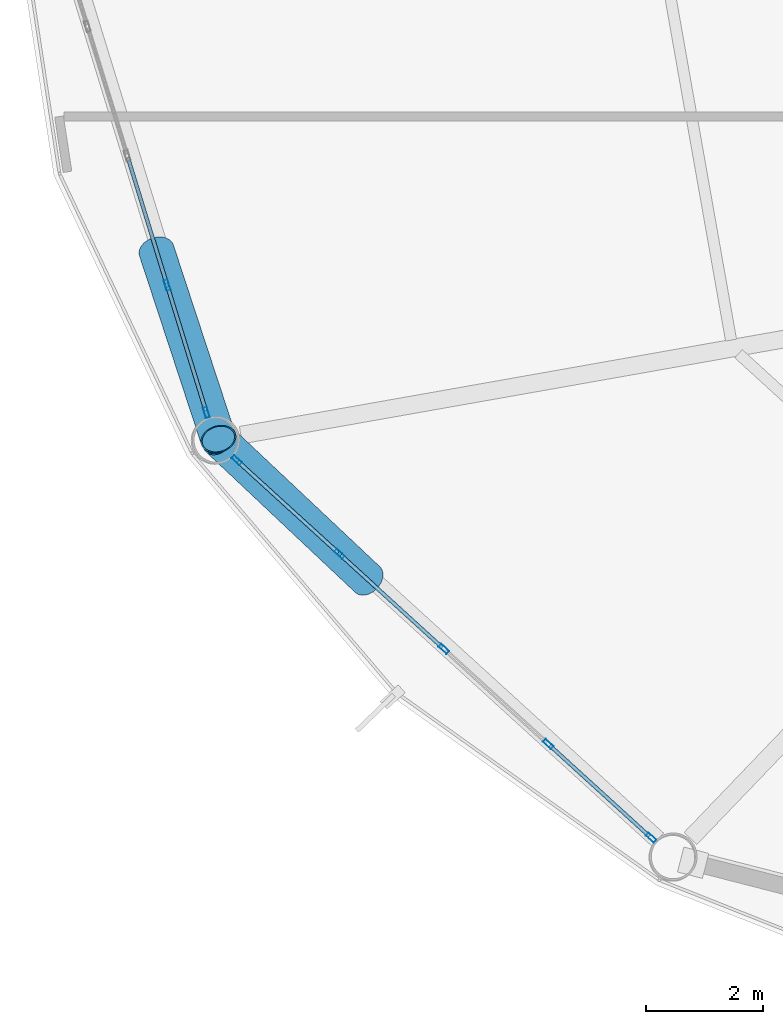
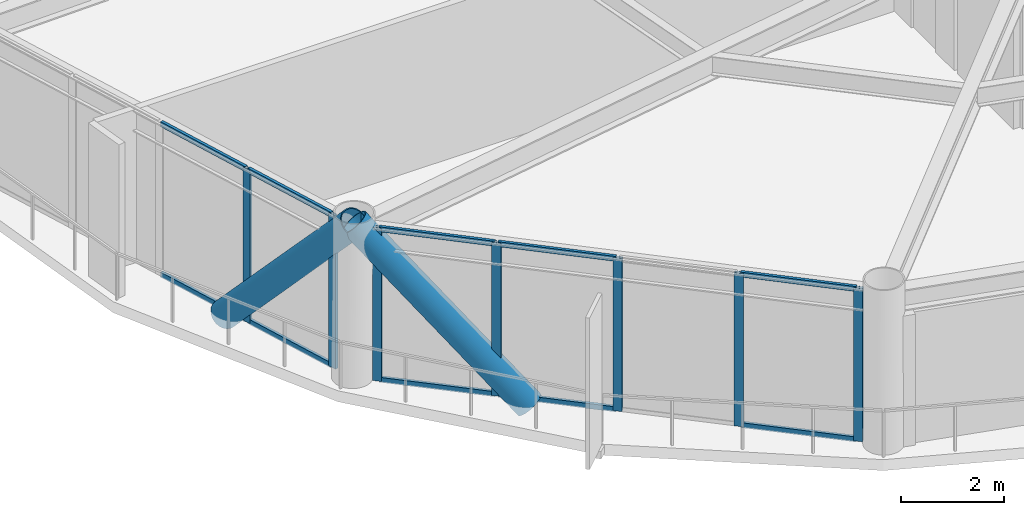
# One storey, part 2 of 23: 19 members, 2 elements without a shape of their own.
"""IFC4 building model written with IfcOpenShell, lengths in metres."""

import ifcopenshell
import ifcopenshell.guid

model = None  # the IFC model being written
_history = None  # IfcOwnerHistory: only IFC2X3 demands one
_inside = {}  # id of a spatial element -> (the spatial element, [elements in it])
_under = {}  # id of a project, library or spatial element -> (it, [spatial elements below it])
_declared = {}  # id of a project -> (the project, [libraries it declares])
_typed = {}  # id of a type object -> (the type object, [elements of that type])
_made_of = {}  # id of a material, layer set ... -> (it, [elements and type objects made of it])


def new_model(schema):
    """Start an empty IFC model of exactly this schema.

    Asked for "IFC4X3", IfcOpenShell would pick the latest addendum, in which some entities
    have other attributes; the version numbers below select the first issue.
    IFC2X3 requires an IfcOwnerHistory on every rooted entity: one is made here for all.
    """
    global model, _history
    if schema == "IFC4X3":
        model = ifcopenshell.file(schema_version=(4, 3, 0, 0))
    else:
        model = ifcopenshell.file(schema=schema)
    _inside.clear()
    _under.clear()
    _declared.clear()
    _typed.clear()
    _made_of.clear()
    _history = None
    if model.schema == "IFC2X3":
        org = make("IfcOrganization", Name="unknown")
        user = make(
            "IfcPersonAndOrganization",
            ThePerson=make("IfcPerson", FamilyName="unknown"),
            TheOrganization=org,
        )
        app = make(
            "IfcApplication",
            ApplicationDeveloper=org,
            Version="unknown",
            ApplicationFullName="unknown",
            ApplicationIdentifier="unknown",
        )
        _history = make(
            "IfcOwnerHistory",
            OwningUser=user,
            OwningApplication=app,
            ChangeAction="ADDED",
            CreationDate=0,
        )
    return model


def make(cls, **values):
    """One entity of the class cls with the attributes given. An attribute that is None is left unset."""
    return model.create_entity(
        cls, **{name: value for name, value in values.items() if value is not None}
    )


def rooted(cls, **values):
    """An entity with a GlobalId (a new one), such as an element, a storey or a relation."""
    return make(cls, GlobalId=ifcopenshell.guid.new(), OwnerHistory=_history, **values)


def si_unit(unit_type, name, prefix=None):
    """IfcSIUnit, for example si_unit("LENGTHUNIT", "METRE", prefix="MILLI")."""
    return make("IfcSIUnit", UnitType=unit_type, Prefix=prefix, Name=name)


def assignment(units):
    """IfcUnitAssignment: the units of a project."""
    return None if units is None else make("IfcUnitAssignment", Units=units)


def point(xyz):
    """IfcCartesianPoint."""
    return None if xyz is None else make("IfcCartesianPoint", Coordinates=xyz)


def direction(xyz):
    """IfcDirection."""
    return None if xyz is None else make("IfcDirection", DirectionRatios=xyz)


def frame(location, z_axis=None, x_axis=None):
    """IfcAxis2Placement3D, a coordinate frame: its origin and axes. An axis left out is left unset."""
    return make(
        "IfcAxis2Placement3D",
        Location=point(location),
        Axis=direction(z_axis),
        RefDirection=direction(x_axis),
    )


def frame_2d(location, x_axis=None):
    """IfcAxis2Placement2D, a coordinate frame in the plane: its origin and x axis."""
    return make(
        "IfcAxis2Placement2D", Location=point(location), RefDirection=direction(x_axis)
    )


def origin():
    """The frame at (0, 0, 0) with its axes left unset."""
    return frame((0.0, 0.0, 0.0))


def origin_2d():
    """The frame at (0, 0) in the plane with its x axis left unset."""
    return frame_2d((0.0, 0.0))


def place(relative_to, where):
    """IfcLocalPlacement: puts the frame where relative to a parent placement (None: the world)."""
    return make(
        "IfcLocalPlacement", PlacementRelTo=relative_to, RelativePlacement=where
    )


def context(
    kind, dimensions, precision=None, world=None, true_north=None, identifier=None
):
    """IfcGeometricRepresentationContext, for example the 3D "Model" context."""
    return make(
        "IfcGeometricRepresentationContext",
        ContextIdentifier=identifier,
        ContextType=kind,
        CoordinateSpaceDimension=dimensions,
        Precision=precision,
        WorldCoordinateSystem=world,
        TrueNorth=true_north,
    )


def subcontext(parent, identifier, kind, view, scale=None):
    """IfcGeometricRepresentationSubContext, for example "Body" below "Model"."""
    return make(
        "IfcGeometricRepresentationSubContext",
        ContextIdentifier=identifier,
        ContextType=kind,
        ParentContext=parent,
        TargetScale=scale,
        TargetView=view,
    )


def project(units=None, contexts=None):
    """IfcProject with its units and contexts."""
    return rooted(
        "IfcProject",
        Name="project",
        RepresentationContexts=contexts,
        UnitsInContext=assignment(units),
    )


def spatial(cls, under=None, at=None, **own):
    """A site, building, storey or space (cls), placed at a placement, below another one or the project."""
    s = rooted(cls, ObjectPlacement=at, **own)
    if under is not None:
        _under.setdefault(under.id(), (under, []))[1].append(s)
    return s


def profile(cls, at=None, kind="AREA", **sizes):
    """A parametric profile (cls). Its sizes go by their IFC names, for example OverallWidth=200.0."""
    return make(cls, ProfileType=kind, Position=at, **sizes)


def hollow_rectangle(**sizes):
    """IfcRectangleHollowProfileDef."""
    return profile("IfcRectangleHollowProfileDef", **sizes)


def hollow_circle(**sizes):
    """IfcCircleHollowProfileDef."""
    return profile("IfcCircleHollowProfileDef", **sizes)


def extrude(swept, where, along, depth):
    """IfcExtrudedAreaSolid: the profile swept, set in the frame where, extruded along a direction by depth."""
    return make(
        "IfcExtrudedAreaSolid",
        SweptArea=swept,
        Position=where,
        ExtrudedDirection=direction(along),
        Depth=depth,
    )


def shape(context_of_items, identifier, shape_type, items):
    """IfcShapeRepresentation: the items that make up one representation, for example the "Body"."""
    return make(
        "IfcShapeRepresentation",
        ContextOfItems=context_of_items,
        RepresentationIdentifier=identifier,
        RepresentationType=shape_type,
        Items=items,
    )


def material(Name=None, Category=None):
    """IfcMaterial."""
    return make("IfcMaterial", Name=Name, Category=Category)


def layer(
    of_material, thickness, ventilated=None, Name=None, Category=None, Priority=None
):
    """IfcMaterialLayer: one layer of a wall or slab, of a material (None: an air gap)."""
    return make(
        "IfcMaterialLayer",
        Material=of_material,
        LayerThickness=thickness,
        IsVentilated=ventilated,
        Name=Name,
        Category=Category,
        Priority=Priority,
    )


def layer_set(layers, Name=None):
    """IfcMaterialLayerSet."""
    return make("IfcMaterialLayerSet", MaterialLayers=layers, LayerSetName=Name)


def material_profile(
    of_material, cross_section, Name=None, Category=None, Priority=None
):
    """IfcMaterialProfile: a cross section and its material."""
    return make(
        "IfcMaterialProfile",
        Name=Name,
        Material=of_material,
        Profile=cross_section,
        Priority=Priority,
        Category=Category,
    )


def profile_set(profiles, Name=None, composite=None):
    """IfcMaterialProfileSet."""
    return make(
        "IfcMaterialProfileSet",
        Name=Name,
        MaterialProfiles=profiles,
        CompositeProfile=composite,
    )


def made_of(thing, what):
    """Note that an element or type object is made of a material, layer set ...; save() writes the relation."""
    if what is not None:
        _made_of.setdefault(what.id(), (what, []))[1].append(thing)
    return thing


def type_object(cls, material=None, **own):
    """A type object (cls), such as IfcWallType, which elements share."""
    return made_of(rooted(cls, **own), material)


def element(
    cls,
    number,
    at=None,
    inside=None,
    cuts=None,
    type_object=None,
    material=None,
    context=None,
    identifier="Body",
    shape_type=None,
    held_by="IfcProductDefinitionShape",
    body=None,
    shapes=None,
    **own,
):
    """One element of the class cls, such as IfcWall. Its Tag is "e" and its number.

    at: its placement. inside: the storey or other place that contains it. cuts: it is an
    opening in that element (IfcRelVoidsElement). A single representation is given by context,
    identifier, shape_type and body (its items); several are given by shapes. held_by: the class
    of the entity that holds the representations. save() writes the other relations.
    """
    e = rooted(cls, Tag="e%d" % number, ObjectPlacement=at, **own)
    if body is not None:
        shapes = [shape(context, identifier, shape_type, body)]
    if shapes is not None:
        e.Representation = make(held_by, Representations=shapes)
    if inside is not None:
        _inside.setdefault(inside.id(), (inside, []))[1].append(e)
    if cuts is not None:
        rooted(
            "IfcRelVoidsElement", RelatingBuildingElement=cuts, RelatedOpeningElement=e
        )
    if type_object is not None:
        _typed.setdefault(type_object.id(), (type_object, []))[1].append(e)
    return made_of(e, material)


def aggregate(whole, parts):
    """IfcRelAggregates: a whole, such as a stair, and the parts it consists of."""
    return rooted("IfcRelAggregates", RelatingObject=whole, RelatedObjects=parts)


def save(model, path):
    """Write the relations noted so far, then the file.

    IfcRelAggregates (storeys below a building ...), IfcRelContainedInSpatialStructure (elements
    in a storey), IfcRelDefinesByType, IfcRelAssociatesMaterial and IfcRelDeclares: one each for
    every whole, place, type object, material and project.
    """
    for whole, parts in _under.values():
        aggregate(whole, parts)
    for where, things in _inside.values():
        rooted(
            "IfcRelContainedInSpatialStructure",
            RelatedElements=things,
            RelatingStructure=where,
        )
    for kind, things in _typed.values():
        rooted("IfcRelDefinesByType", RelatedObjects=things, RelatingType=kind)
    for what, things in _made_of.values():
        rooted("IfcRelAssociatesMaterial", RelatedObjects=things, RelatingMaterial=what)
    for by, libraries in _declared.values():
        rooted("IfcRelDeclares", RelatingContext=by, RelatedDefinitions=libraries)
    model.write(path)


model = new_model("IFC4")

# Units and contexts
model_context = context("Model", 3, precision=1e-05, world=origin(), true_north=direction((0.0, 1.0)))
body_context = subcontext(model_context, "Body", "Model", "MODEL_VIEW")
ifc_project = project(units=[si_unit("LENGTHUNIT", "METRE"), si_unit("AREAUNIT", "SQUARE_METRE"), si_unit("VOLUMEUNIT", "CUBIC_METRE"), si_unit("PLANEANGLEUNIT", "RADIAN"), si_unit("MASSUNIT", "GRAM", prefix="KILO")], contexts=[model_context])

# Site, building, storey
site_placement = place(None, origin())
site = spatial("IfcSite", under=ifc_project, at=site_placement, CompositionType="ELEMENT")
building_placement = place(site_placement, origin())
building = spatial("IfcBuilding", under=site, at=building_placement, Name="Varnakorn Sky Granary", CompositionType="ELEMENT")
storey_placement = place(building_placement, frame((0.0, 0.0, 107.10009765625)))
storey = spatial("IfcBuildingStorey", under=building, at=storey_placement, Name="L26", CompositionType="ELEMENT", Elevation=107.10009765625)

# Curtain wall, members
ifc_material_1 = material(Name="Anodised Bronze Aluminium Alloy 6063-T6", Category="aluminium")
ifc_layer = layer(ifc_material_1, 0.179931640625, Name="Anodised Bronze Aluminium Alloy 6063-T6")
ifc_layer_set = layer_set([ifc_layer], Name="Anodised Bronze Aluminium Alloy 6063-T6")
curtain_wall_type = type_object("IfcCurtainWallType", Name="CW-FRM-2", PredefinedType="USERDEFINED", material=ifc_layer_set)
curtain_wall_1_placement = place(storey_placement, origin())
curtain_wall_1 = element("IfcCurtainWall", 1, at=curtain_wall_1_placement, inside=storey, type_object=curtain_wall_type, Name="Unitised Curtain Wall CW4 CW-L26-B07", ObjectType="CURTAIN WALL", PredefinedType="USERDEFINED")
ifc_material_profile_1 = material_profile(ifc_material_1, hollow_rectangle(XDim=0.070068359375, YDim=0.18505859375, WallThickness=0.00390625, at=origin_2d()), Name="ALU MULL 70x185")
ifc_profile_set_1 = profile_set([ifc_material_profile_1], Name="Anodised Bronze Aluminium Alloy 6063-T6")
member_type_1 = type_object("IfcMemberType", Name="CW-FRM-2-MULL", PredefinedType="MULLION", material=ifc_profile_set_1)
member_1_placement = place(storey_placement, frame((-20.1650390625, -9.25927734375, 0.0), z_axis=(0.0, 0.0, 1.0), x_axis=(-0.955691611808, -0.294369738798, 0.0)))
member_1 = element("IfcMember", 2, at=member_1_placement, type_object=member_type_1, Name="CW4 mullion 1", PredefinedType="MULLION", context=body_context, shape_type="SweptSolid", body=[
    extrude(hollow_rectangle(XDim=0.070068359375, YDim=0.18505859375, WallThickness=0.00390625, at=origin_2d()), origin(), (0.0, 0.0, 1.0), 3.639892578125),
])
member_2_placement = place(storey_placement, frame((-20.8359375, -7.0810546875, 0.0), z_axis=(0.0, 0.0, 1.0), x_axis=(-0.955691611808, -0.294369738798, 0.0)))
member_2 = element("IfcMember", 3, at=member_2_placement, type_object=member_type_1, Name="CW4 mullion 2", PredefinedType="MULLION", context=body_context, shape_type="SweptSolid", body=[
    extrude(hollow_rectangle(XDim=0.070068359375, YDim=0.18505859375, WallThickness=0.00390625, at=origin_2d()), origin(), (0.0, 0.0, 1.0), 3.639892578125),
])

curtain_wall_2_placement = place(storey_placement, origin())
curtain_wall_2 = element("IfcCurtainWall", 4, at=curtain_wall_2_placement, inside=storey, type_object=curtain_wall_type, Name="Unitised Curtain Wall CW4 CW-L26-B08", ObjectType="CURTAIN WALL", PredefinedType="USERDEFINED")
member_3_placement = place(storey_placement, frame((-12.561767578125, -16.530029296875, 0.0), z_axis=(0.0, 0.0, 1.0), x_axis=(-0.673414398116, -0.73926520844, 0.0)))
member_3 = element("IfcMember", 5, at=member_3_placement, type_object=member_type_1, Name="CW4 mullion 1", PredefinedType="MULLION", context=body_context, shape_type="SweptSolid", body=[
    extrude(hollow_rectangle(XDim=0.070068359375, YDim=0.18505859375, WallThickness=0.00390625, at=origin_2d()), origin(), (0.0, 0.0, 1.0), 3.639892578125),
])
member_4_placement = place(storey_placement, frame((-14.320068359375, -14.92822265625, 0.0), z_axis=(0.0, 0.0, 1.0), x_axis=(-0.673414398116, -0.73926520844, 0.0)))
member_4 = element("IfcMember", 6, at=member_4_placement, type_object=member_type_1, Name="CW4 mullion 2", PredefinedType="MULLION", context=body_context, shape_type="SweptSolid", body=[
    extrude(hollow_rectangle(XDim=0.070068359375, YDim=0.18505859375, WallThickness=0.00390625, at=origin_2d()), origin(), (0.0, 0.0, 1.0), 3.639892578125),
])
member_5_placement = place(storey_placement, frame((-16.104248046875, -13.302978515625, 0.0), z_axis=(0.0, 0.0, 1.0), x_axis=(-0.673414398116, -0.73926520844, 0.0)))
member_5 = element("IfcMember", 7, at=member_5_placement, type_object=member_type_1, Name="CW4 mullion 3", PredefinedType="MULLION", context=body_context, shape_type="SweptSolid", body=[
    extrude(hollow_rectangle(XDim=0.070068359375, YDim=0.18505859375, WallThickness=0.00390625, at=origin_2d()), origin(), (0.0, 0.0, 1.0), 3.639892578125),
])
member_6_placement = place(storey_placement, frame((-17.888427734375, -11.677734375, 0.0), z_axis=(0.0, 0.0, 1.0), x_axis=(-0.673414398116, -0.73926520844, 0.0)))
member_6 = element("IfcMember", 8, at=member_6_placement, type_object=member_type_1, Name="CW4 mullion 4", PredefinedType="MULLION", context=body_context, shape_type="SweptSolid", body=[
    extrude(hollow_rectangle(XDim=0.070068359375, YDim=0.18505859375, WallThickness=0.00390625, at=origin_2d()), origin(), (0.0, 0.0, 1.0), 3.639892578125),
])
member_7_placement = place(storey_placement, frame((-19.646728515625, -10.076171875, 0.0), z_axis=(0.0, 0.0, 1.0), x_axis=(-0.673414398116, -0.73926520844, 0.0)))
member_7 = element("IfcMember", 9, at=member_7_placement, type_object=member_type_1, Name="CW4 mullion 5", PredefinedType="MULLION", context=body_context, shape_type="SweptSolid", body=[
    extrude(hollow_rectangle(XDim=0.070068359375, YDim=0.18505859375, WallThickness=0.00390625, at=origin_2d()), origin(), (0.0, 0.0, 1.0), 3.639892578125),
])

# Member
ifc_material_profile_2 = material_profile(ifc_material_1, hollow_rectangle(XDim=0.06494140625, YDim=0.1201171875, WallThickness=0.00341796875, at=origin_2d()), Name="ALU TRAN 65x120")
ifc_profile_set_2 = profile_set([ifc_material_profile_2], Name="Anodised Bronze Aluminium Alloy 6063-T6")
member_type_2 = type_object("IfcMemberType", Name="CW-FRM-2-TRAN", PredefinedType="USERDEFINED", material=ifc_profile_set_2)
member_8_placement = place(storey_placement, frame((-20.17529296875, -9.225830078125, 0.032470703125), z_axis=(-0.294396453703, 0.955683382741, 0.0), x_axis=(-0.955683382741, -0.294396453703, 0.0)))
member_8 = element("IfcMember", 10, at=member_8_placement, type_object=member_type_2, Name="CW4 transom 1.1", ObjectType="TRANSOM", PredefinedType="USERDEFINED", context=body_context, shape_type="SweptSolid", body=[
    extrude(hollow_rectangle(XDim=0.06494140625, YDim=0.1201171875, WallThickness=0.00341796875, at=origin_2d()), origin(), (0.0, 0.0, 1.0), 2.209228515625),
])

member_9_placement = place(storey_placement, frame((-20.17529296875, -9.225830078125, 3.607421875), z_axis=(-0.294396453703, 0.955683382741, 0.0), x_axis=(-0.955683382741, -0.294396453703, 0.0)))
member_9 = element("IfcMember", 11, at=member_9_placement, type_object=member_type_2, Name="CW4 transom 1.2", ObjectType="TRANSOM", PredefinedType="USERDEFINED", context=body_context, shape_type="SweptSolid", body=[
    extrude(hollow_rectangle(XDim=0.06494140625, YDim=0.1201171875, WallThickness=0.00341796875, at=origin_2d()), origin(), (0.0, 0.0, 1.0), 2.209228515625),
])

member_10_placement = place(storey_placement, frame((-20.84619140625, -7.047607421875, 0.032470703125), z_axis=(-0.294345722526, 0.95569900891, 0.0), x_axis=(-0.95569900891, -0.294345722526, 0.0)))
member_10 = element("IfcMember", 12, at=member_10_placement, type_object=member_type_2, Name="CW4 transom 2.1", ObjectType="TRANSOM", PredefinedType="USERDEFINED", context=body_context, shape_type="SweptSolid", body=[
    extrude(hollow_rectangle(XDim=0.06494140625, YDim=0.1201171875, WallThickness=0.00341796875, at=origin_2d()), origin(), (0.0, 0.0, 1.0), 2.244384765625),
])

member_11_placement = place(storey_placement, frame((-20.84619140625, -7.047607421875, 3.607421875), z_axis=(-0.294345722526, 0.95569900891, 0.0), x_axis=(-0.95569900891, -0.294345722526, 0.0)))
member_11 = element("IfcMember", 13, at=member_11_placement, type_object=member_type_2, Name="CW4 transom 2.2", ObjectType="TRANSOM", PredefinedType="USERDEFINED", context=body_context, shape_type="SweptSolid", body=[
    extrude(hollow_rectangle(XDim=0.06494140625, YDim=0.1201171875, WallThickness=0.00341796875, at=origin_2d()), origin(), (0.0, 0.0, 1.0), 2.244384765625),
])

aggregate(curtain_wall_1, [member_1, member_2, member_8, member_9, member_10, member_11])

member_12_placement = place(storey_placement, frame((-12.587646484375, -16.50634765625, 0.032470703125), z_axis=(-0.739284086407, 0.673393673556, 0.0), x_axis=(-0.673393673556, -0.739284086407, 0.0)))
member_12 = element("IfcMember", 14, at=member_12_placement, type_object=member_type_2, Name="CW4 transom 1.1", ObjectType="TRANSOM", PredefinedType="USERDEFINED", context=body_context, shape_type="SweptSolid", body=[
    extrude(hollow_rectangle(XDim=0.06494140625, YDim=0.1201171875, WallThickness=0.00341796875, at=origin_2d()), origin(), (0.0, 0.0, 1.0), 2.308349609375),
])

member_13_placement = place(storey_placement, frame((-12.587646484375, -16.50634765625, 3.607421875), z_axis=(-0.739284086407, 0.673393673556, 0.0), x_axis=(-0.673393673556, -0.739284086407, 0.0)))
member_13 = element("IfcMember", 15, at=member_13_placement, type_object=member_type_2, Name="CW4 transom 1.2", ObjectType="TRANSOM", PredefinedType="USERDEFINED", context=body_context, shape_type="SweptSolid", body=[
    extrude(hollow_rectangle(XDim=0.06494140625, YDim=0.1201171875, WallThickness=0.00341796875, at=origin_2d()), origin(), (0.0, 0.0, 1.0), 2.308349609375),
])

member_14_placement = place(storey_placement, frame((-16.130126953125, -13.279541015625, 0.032470703125), z_axis=(-0.739260877094, 0.673419152978, 0.0), x_axis=(-0.673419152978, -0.739260877094, 0.0)))
member_14 = element("IfcMember", 16, at=member_14_placement, type_object=member_type_2, Name="CW4 transom 3.1", ObjectType="TRANSOM", PredefinedType="USERDEFINED", context=body_context, shape_type="SweptSolid", body=[
    extrude(hollow_rectangle(XDim=0.06494140625, YDim=0.1201171875, WallThickness=0.00341796875, at=origin_2d()), origin(), (0.0, 0.0, 1.0), 2.343505859375),
])

member_15_placement = place(storey_placement, frame((-16.130126953125, -13.279541015625, 3.607421875), z_axis=(-0.739260877094, 0.673419152978, 0.0), x_axis=(-0.673419152978, -0.739260877094, 0.0)))
member_15 = element("IfcMember", 17, at=member_15_placement, type_object=member_type_2, Name="CW4 transom 3.2", ObjectType="TRANSOM", PredefinedType="USERDEFINED", context=body_context, shape_type="SweptSolid", body=[
    extrude(hollow_rectangle(XDim=0.06494140625, YDim=0.1201171875, WallThickness=0.00341796875, at=origin_2d()), origin(), (0.0, 0.0, 1.0), 2.343505859375),
])

member_16_placement = place(storey_placement, frame((-17.914306640625, -11.654296875, 0.032470703125), z_axis=(-0.739284086407, 0.673393673556, 0.0), x_axis=(-0.673393673556, -0.739284086407, 0.0)))
member_16 = element("IfcMember", 18, at=member_16_placement, type_object=member_type_2, Name="CW4 transom 4.1", ObjectType="TRANSOM", PredefinedType="USERDEFINED", context=body_context, shape_type="SweptSolid", body=[
    extrude(hollow_rectangle(XDim=0.06494140625, YDim=0.1201171875, WallThickness=0.00341796875, at=origin_2d()), origin(), (0.0, 0.0, 1.0), 2.308349609375),
])

member_17_placement = place(storey_placement, frame((-17.914306640625, -11.654296875, 3.607421875), z_axis=(-0.739284086407, 0.673393673556, 0.0), x_axis=(-0.673393673556, -0.739284086407, 0.0)))
member_17 = element("IfcMember", 19, at=member_17_placement, type_object=member_type_2, Name="CW4 transom 4.2", ObjectType="TRANSOM", PredefinedType="USERDEFINED", context=body_context, shape_type="SweptSolid", body=[
    extrude(hollow_rectangle(XDim=0.06494140625, YDim=0.1201171875, WallThickness=0.00341796875, at=origin_2d()), origin(), (0.0, 0.0, 1.0), 2.308349609375),
])

aggregate(curtain_wall_2, [member_3, member_4, member_5, member_6, member_7, member_12, member_13, member_14, member_15, member_16, member_17])

# Members
ifc_material_2 = material(Name="Steel S460M", Category="steel")
ifc_material_profile_3 = material_profile(ifc_material_2, hollow_circle(Radius=0.304931640625, WallThickness=0.022216796875, at=origin_2d()), Name="CHS 610x22")
ifc_profile_set_3 = profile_set([ifc_material_profile_3], Name="Steel S460M")
member_type_3 = type_object("IfcMemberType", Name="MB-DIAG-T1", PredefinedType="BRACE", material=ifc_profile_set_3)
member_18_placement = place(storey_placement, frame((-21.017333984375, -6.4921875, -0.130126953125), z_axis=(0.208651927736, -0.635439961741, 0.743424796516), x_axis=(0.950091807136, 0.311970444134, 0.0)))
element("IfcMember", 20, at=member_18_placement, inside=storey, type_object=member_type_3, Name="Perimeter CHS Diagrid Brace DG07 L26", PredefinedType="BRACE", context=body_context, shape_type="SweptSolid", body=[
    extrude(hollow_circle(Radius=0.304931640625, WallThickness=0.022216796875, at=origin_2d()), origin(), (0.0, 0.0, 1.0), 5.071044921875),
])
member_19_placement = place(storey_placement, frame((-17.40869140625, -12.114990234375, -0.130126953125), z_axis=(-0.495645683327, 0.466467728388, 0.732627610025), x_axis=(-0.685347304338, -0.728216363753, 0.0)))
element("IfcMember", 21, at=member_19_placement, inside=storey, type_object=member_type_3, Name="Perimeter CHS Diagrid Brace DG08 L26", PredefinedType="BRACE", context=body_context, shape_type="SweptSolid", body=[
    extrude(hollow_circle(Radius=0.304931640625, WallThickness=0.022216796875, at=origin_2d()), origin(), (0.0, 0.0, 1.0), 5.14599609375),
])

save(model, "model.ifc")
